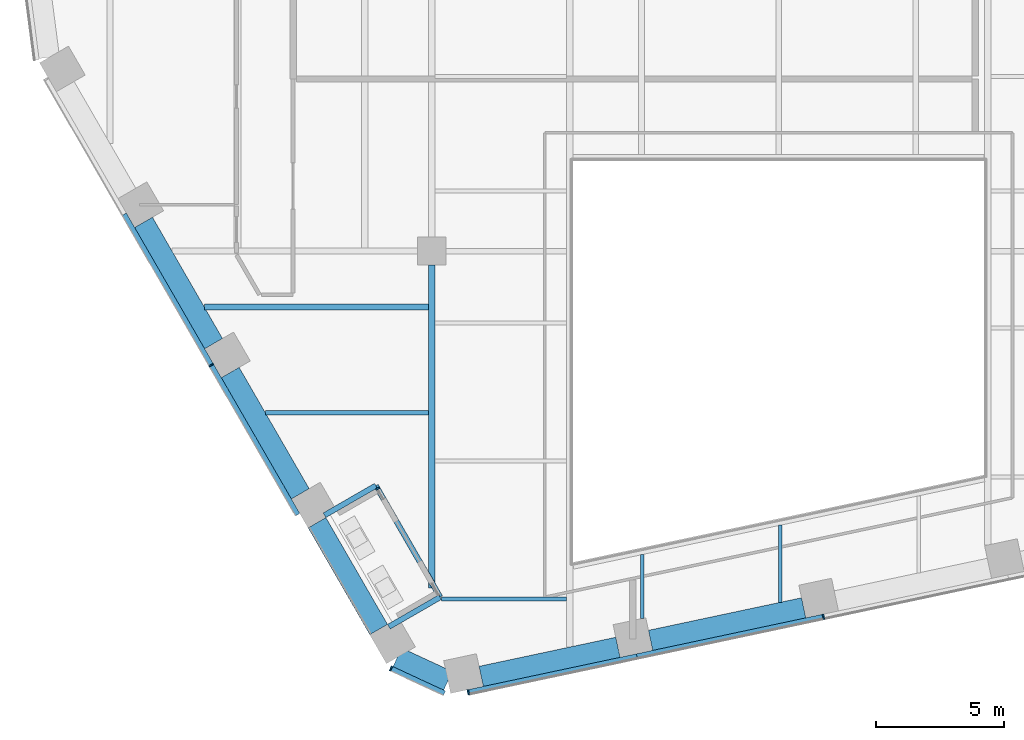
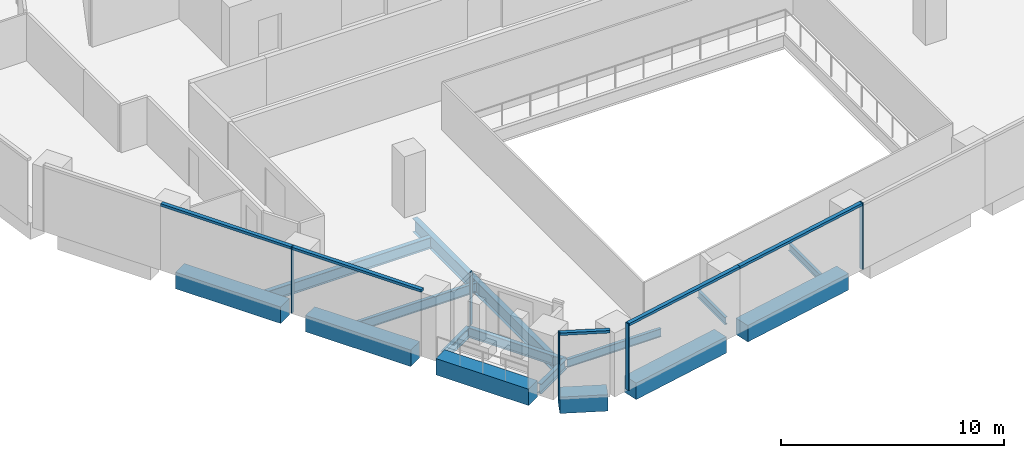
# One storey, part 2 of 26: 15 beams, 10 members, 4 elements without a shape of their own.
"""IFC4 building model written with IfcOpenShell, lengths in metres."""

from ifc_helpers import new_model, si_unit, direction, frame, origin, origin_2d, place, context, subcontext, project, spatial, rectangle, i_section, extrude, material, layer, layer_set, material_profile, profile_set, type_object, element, aggregate, save


model = new_model("IFC4")

# Units and contexts
model_context = context("Model", 3, precision=1e-05, world=origin(), true_north=direction((0.0, 1.0)))
body_context = subcontext(model_context, "Body", "Model", "MODEL_VIEW")
ifc_project = project(units=[si_unit("LENGTHUNIT", "METRE"), si_unit("AREAUNIT", "SQUARE_METRE"), si_unit("VOLUMEUNIT", "CUBIC_METRE"), si_unit("PLANEANGLEUNIT", "RADIAN"), si_unit("MASSUNIT", "GRAM", prefix="KILO")], contexts=[model_context])

# Site, building, storey
site_placement = place(None, origin())
site = spatial("IfcSite", under=ifc_project, at=site_placement, CompositionType="ELEMENT")
building_placement = place(site_placement, origin())
building = spatial("IfcBuilding", under=site, at=building_placement, Name="Isthmus Gate Tower", CompositionType="ELEMENT")
storey_placement = place(building_placement, frame((0.0, 0.0, 203.64990234375)))
storey = spatial("IfcBuildingStorey", under=building, at=storey_placement, Name="L51", CompositionType="ELEMENT", Elevation=203.64990234375)

# Curtain wall, member
ifc_material_1 = material(Name="Aluminium, pale champagne anodised", Category="aluminium")
ifc_layer_1 = layer(ifc_material_1, 0.199951171875)
ifc_layer_set_1 = layer_set([ifc_layer_1], Name="CW-1 UNITISED CURTAIN WALL 200 DEEP")
curtain_wall_type_1 = type_object("IfcCurtainWallType", Name="CW-1 UNITISED CURTAIN WALL 200 DEEP", PredefinedType="NOTDEFINED", material=ifc_layer_set_1)
curtain_wall_1_placement = place(storey_placement, origin())
curtain_wall_1 = element("IfcCurtainWall", 1, at=curtain_wall_1_placement, inside=storey, type_object=curtain_wall_type_1, Name="CW-1 SW L51", PredefinedType="NOTDEFINED")
ifc_material_2 = material(Name="Aluminium, pale champagne anodised", Category="aluminium")
ifc_material_profile_1 = material_profile(ifc_material_2, rectangle(XDim=0.06005859375, YDim=0.199951171875, at=origin_2d()), Name="60x200")
ifc_profile_set_1 = profile_set([ifc_material_profile_1], Name="Aluminium, pale champagne anodised")
member_type_1 = type_object("IfcMemberType", Name="CW-1 MULLION 60 X 200", PredefinedType="MULLION", material=ifc_profile_set_1)
member_1_placement = place(storey_placement, frame((-22.08935546875, -17.93994140625, 0.0), z_axis=(0.0, 0.0, 1.0), x_axis=(0.5, -0.866025403784, 0.0)))
member_1 = element("IfcMember", 2, at=member_1_placement, type_object=member_type_1, Name="CW-1 mullion", PredefinedType="MULLION", context=body_context, shape_type="SweptSolid", body=[
    extrude(rectangle(XDim=0.06005859375, YDim=0.199951171875, at=origin_2d()), origin(), (0.0, 0.0, 1.0), 3.650146484375),
])

curtain_wall_2_placement = place(storey_placement, origin())
curtain_wall_2 = element("IfcCurtainWall", 3, at=curtain_wall_2_placement, inside=storey, type_object=curtain_wall_type_1, Name="CW-1 SW-S L51", PredefinedType="NOTDEFINED")
member_2_placement = place(storey_placement, frame((-15.091064453125, -29.74755859375, 0.0), z_axis=(0.0, 0.0, 1.0), x_axis=(0.907256261367, -0.420578264073, 0.0)))
member_2 = element("IfcMember", 4, at=member_2_placement, type_object=member_type_1, Name="CW-1 mullion", PredefinedType="MULLION", context=body_context, shape_type="SweptSolid", body=[
    extrude(rectangle(XDim=0.06005859375, YDim=0.199951171875, at=origin_2d()), origin(), (0.0, 0.0, 1.0), 3.650146484375),
])

# Curtain wall, members
curtain_wall_3_placement = place(storey_placement, origin())
curtain_wall_3 = element("IfcCurtainWall", 5, at=curtain_wall_3_placement, inside=storey, type_object=curtain_wall_type_1, Name="CW-1 S L51", PredefinedType="NOTDEFINED")
member_3_placement = place(storey_placement, frame((-12.082763671875, -30.67041015625, 0.0), z_axis=(0.0, 0.0, 1.0), x_axis=(0.978147600734, 0.207911690818, 0.0)))
member_3 = element("IfcMember", 6, at=member_3_placement, type_object=member_type_1, Name="CW-1 mullion", PredefinedType="MULLION", context=body_context, shape_type="SweptSolid", body=[
    extrude(rectangle(XDim=0.06005859375, YDim=0.199951171875, at=origin_2d()), origin(), (0.0, 0.0, 1.0), 3.650146484375),
])
member_4_placement = place(storey_placement, frame((1.740234375, -27.732421875, 0.0), z_axis=(0.0, 0.0, 1.0), x_axis=(0.978147600734, 0.207911690818, 0.0)))
member_4 = element("IfcMember", 7, at=member_4_placement, type_object=member_type_1, Name="CW-1 mullion", PredefinedType="MULLION", context=body_context, shape_type="SweptSolid", body=[
    extrude(rectangle(XDim=0.06005859375, YDim=0.199951171875, at=origin_2d()), origin(), (0.0, 0.0, 1.0), 3.650146484375),
])

# Member
ifc_material_3 = material(Name="Aluminium, pale champagne anodised", Category="aluminium")
ifc_material_profile_2 = material_profile(ifc_material_3, rectangle(XDim=0.199951171875, YDim=0.139892578125, at=origin_2d()), Name="200x140")
ifc_profile_set_2 = profile_set([ifc_material_profile_2], Name="Aluminium, pale champagne anodised")
member_type_2 = type_object("IfcMemberType", Name="CW-1 TRANSOM 200 X 140", PredefinedType="USERDEFINED", material=ifc_profile_set_2)
member_5_placement = place(storey_placement, frame((-25.4794921875, -12.068115234375, 3.580078125), z_axis=(0.49998230858, -0.86603561769, 0.0), x_axis=(0.86603561769, 0.49998230858, 0.0)))
member_5 = element("IfcMember", 8, at=member_5_placement, type_object=member_type_2, Name="CW-1 transom", ObjectType="TRANSOM", PredefinedType="USERDEFINED", context=body_context, shape_type="SweptSolid", body=[
    extrude(rectangle(XDim=0.199951171875, YDim=0.139892578125, at=origin_2d()), origin(), (0.0, 0.0, 1.0), 6.750244140625),
])

member_6_placement = place(storey_placement, frame((-22.074462890625, -17.9658203125, 3.580078125), z_axis=(0.499981482168, -0.866036094796, 0.0), x_axis=(0.866036094796, 0.499981482168, 0.0)))
member_6 = element("IfcMember", 9, at=member_6_placement, type_object=member_type_2, Name="CW-1 transom", ObjectType="TRANSOM", PredefinedType="USERDEFINED", context=body_context, shape_type="SweptSolid", body=[
    extrude(rectangle(XDim=0.199951171875, YDim=0.139892578125, at=origin_2d()), origin(), (0.0, 0.0, 1.0), 6.690185546875),
])

aggregate(curtain_wall_1, [member_5, member_1, member_6])

member_7_placement = place(storey_placement, frame((-15.06396484375, -29.76025390625, 3.580078125), z_axis=(0.907246225564, -0.420599912268, 0.0), x_axis=(0.420599912268, 0.907246225564, 0.0)))
member_7 = element("IfcMember", 10, at=member_7_placement, type_object=member_type_2, Name="CW-1 transom", ObjectType="TRANSOM", PredefinedType="USERDEFINED", context=body_context, shape_type="SweptSolid", body=[
    extrude(rectangle(XDim=0.199951171875, YDim=0.139892578125, at=origin_2d()), origin(), (0.0, 0.0, 1.0), 2.258544921875),
])

aggregate(curtain_wall_2, [member_2, member_7])

member_8_placement = place(storey_placement, frame((-12.05322265625, -30.664306640625, 3.580078125), z_axis=(0.97814231579, 0.207936552972, 0.0), x_axis=(-0.207936552972, 0.97814231579, 0.0)))
member_8 = element("IfcMember", 11, at=member_8_placement, type_object=member_type_2, Name="CW-1 transom", ObjectType="TRANSOM", PredefinedType="USERDEFINED", context=body_context, shape_type="SweptSolid", body=[
    extrude(rectangle(XDim=0.199951171875, YDim=0.139892578125, at=origin_2d()), origin(), (0.0, 0.0, 1.0), 6.6806640625),
])

member_9_placement = place(storey_placement, frame((-5.5185546875, -29.275146484375, 3.580078125), z_axis=(0.978147683684, 0.207911300568, 0.0), x_axis=(-0.207911300568, 0.978147683684, 0.0)))
member_9 = element("IfcMember", 12, at=member_9_placement, type_object=member_type_2, Name="CW-1 transom", ObjectType="TRANSOM", PredefinedType="USERDEFINED", context=body_context, shape_type="SweptSolid", body=[
    extrude(rectangle(XDim=0.199951171875, YDim=0.139892578125, at=origin_2d()), origin(), (0.0, 0.0, 1.0), 7.390869140625),
])

aggregate(curtain_wall_3, [member_3, member_8, member_9, member_4])

# Curtain wall, member
ifc_material_4 = material(Name="Aluminium, pale champagne anodised", Category="aluminium")
ifc_layer_2 = layer(ifc_material_4, 0.14990234375)
ifc_layer_set_2 = layer_set([ifc_layer_2], Name="CW-6 LOGGIA BACK WALL GLAZING 150 DEEP")
curtain_wall_type_2 = type_object("IfcCurtainWallType", Name="CW-6 LOGGIA BACK WALL GLAZING 150 DEEP", PredefinedType="NOTDEFINED", material=ifc_layer_set_2)
curtain_wall_4_placement = place(storey_placement, origin())
curtain_wall_4 = element("IfcCurtainWall", 13, at=curtain_wall_4_placement, inside=storey, type_object=curtain_wall_type_2, Name="CW-6 SW L51", PredefinedType="NOTDEFINED")
ifc_material_5 = material(Name="Aluminium, pale champagne anodised", Category="aluminium")
ifc_material_profile_3 = material_profile(ifc_material_5, rectangle(XDim=0.06005859375, YDim=0.14990234375, at=origin_2d()), Name="60x150")
ifc_profile_set_3 = profile_set([ifc_material_profile_3], Name="Aluminium, pale champagne anodised")
member_type_3 = type_object("IfcMemberType", Name="CW-6 MULLION 60 X 150", PredefinedType="MULLION", material=ifc_profile_set_3)
member_10_placement = place(storey_placement, frame((-15.6181640625, -22.74853515625, 0.0), z_axis=(0.0, 0.0, 1.0), x_axis=(0.5, -0.866025403784, 0.0)))
member_10 = element("IfcMember", 14, at=member_10_placement, type_object=member_type_3, Name="CW-6 mullion", PredefinedType="MULLION", context=body_context, shape_type="SweptSolid", body=[
    extrude(rectangle(XDim=0.06005859375, YDim=0.14990234375, at=origin_2d()), origin(), (0.0, 0.0, 1.0), 2.900146484375),
])
aggregate(curtain_wall_4, [member_10])

# Beams
ifc_material_6 = material(Name="Concrete f'c 60 MPa", Category="concrete")
ifc_material_profile_4 = material_profile(ifc_material_6, rectangle(XDim=0.800048828125, YDim=0.89990234375, at=origin_2d()), Name="RC 800X900")
ifc_profile_set_4 = profile_set([ifc_material_profile_4], Name="Concrete f'c 60 MPa")
beam_type_1 = type_object("IfcBeamType", Name="RC SPANDREL 800 X 900", PredefinedType="SPANDREL", material=ifc_profile_set_4)
beam_1_placement = place(storey_placement, frame((0.970947265625, -27.384765625, -0.449951171875), z_axis=(-0.978146012851, -0.207919161079, 0.0), x_axis=(0.207919161079, -0.978146012851, 0.0)))
element("IfcBeam", 15, at=beam_1_placement, inside=storey, type_object=beam_type_1, Name="str-spandrel-L51-13", PredefinedType="SPANDREL", context=body_context, shape_type="SweptSolid", body=[
    extrude(rectangle(XDim=0.800048828125, YDim=0.89990234375, at=origin_2d()), origin(), (0.0, 0.0, 1.0), 6.090576171875),
])
beam_2_placement = place(storey_placement, frame((-6.25830078125, -28.92138671875, -0.449951171875), z_axis=(-0.978150410773, -0.207898470186, 0.0), x_axis=(0.207898470186, -0.978150410773, 0.0)))
element("IfcBeam", 16, at=beam_2_placement, inside=storey, type_object=beam_type_1, Name="str-spandrel-L51-14", PredefinedType="SPANDREL", context=body_context, shape_type="SweptSolid", body=[
    extrude(rectangle(XDim=0.800048828125, YDim=0.89990234375, at=origin_2d()), origin(), (0.0, 0.0, 1.0), 5.440673828125),
])
beam_3_placement = place(storey_placement, frame((-12.87255859375, -30.224853515625, -0.449951171875), z_axis=(-0.907290744498, 0.420503870314, 0.0), x_axis=(-0.420503870314, -0.907290744498, 0.0)))
element("IfcBeam", 17, at=beam_3_placement, inside=storey, type_object=beam_type_1, Name="str-spandrel-L51-15", PredefinedType="SPANDREL", context=body_context, shape_type="SweptSolid", body=[
    extrude(rectangle(XDim=0.800048828125, YDim=0.89990234375, at=origin_2d()), origin(), (0.0, 0.0, 1.0), 2.173095703125),
])
beam_4_placement = place(storey_placement, frame((-15.5712890625, -28.229736328125, -0.449951171875), z_axis=(-0.500017431331, 0.866015339567, 0.0), x_axis=(-0.866015339567, -0.500017431331, 0.0)))
element("IfcBeam", 18, at=beam_4_placement, inside=storey, type_object=beam_type_1, Name="str-spandrel-L51-16", PredefinedType="SPANDREL", context=body_context, shape_type="SweptSolid", body=[
    extrude(rectangle(XDim=0.800048828125, YDim=0.89990234375, at=origin_2d()), origin(), (0.0, 0.0, 1.0), 4.800048828125),
])
for number, where, z_axis, x_axis, name in (
    (19, (-18.621337890625, -22.94677734375, -0.449951171875), (-0.500002931134, 0.866023711487, 0.0), (-0.866023711487, -0.500002931134, 0.0), "str-spandrel-L51-17"),
    (20, (-21.996337890625, -17.10107421875, -0.449951171875), (-0.500002931134, 0.866023711487, 0.0), (-0.866023711487, -0.500002931134, 0.0), "str-spandrel-L51-18"),
):
    element("IfcBeam", number, at=place(storey_placement, frame(where, z_axis=z_axis, x_axis=x_axis)), inside=storey, type_object=beam_type_1, Name=name, PredefinedType="SPANDREL", context=body_context, shape_type="SweptSolid", body=[
        extrude(rectangle(XDim=0.800048828125, YDim=0.89990234375, at=origin_2d()), origin(), (0.0, 0.0, 1.0), 5.4501953125),
    ])
ifc_material_7 = material(Name="Structural steel ASTM A992 Gr 50", Category="steel")
ifc_material_profile_5 = material_profile(ifc_material_7, i_section(OverallWidth=0.1396484375, OverallDepth=0.4033203125, WebThickness=0.00634765625, FlangeThickness=0.010986328125, at=origin_2d()), Name="W16X31")
ifc_profile_set_5 = profile_set([ifc_material_profile_5], Name="Structural steel ASTM A992 Gr 50")
beam_type_2 = type_object("IfcBeamType", Name="STEEL FLOOR BEAM W16X31", PredefinedType="JOIST", material=ifc_profile_set_5)
beam_5_placement = place(storey_placement, frame((-5.311279296875, -27.7998046875, -0.3515625), z_axis=(0.0, 1.0, 0.0), x_axis=(-1.0, 0.0, 0.0)))
element("IfcBeam", 21, at=beam_5_placement, inside=storey, type_object=beam_type_2, Name="str-beam-L51-10-00", PredefinedType="JOIST", context=body_context, shape_type="SweptSolid", body=[
    extrude(i_section(OverallWidth=0.1396484375, OverallDepth=0.4033203125, WebThickness=0.00634765625, FlangeThickness=0.010986328125, at=origin_2d()), origin(), (0.0, 0.0, 1.0), 2.487548828125),
])
beam_6_placement = place(storey_placement, frame((0.06591796875, -27.168212890625, -0.3515625), z_axis=(0.0, 1.0, 0.0), x_axis=(-1.0, 0.0, 0.0)))
element("IfcBeam", 22, at=beam_6_placement, inside=storey, type_object=beam_type_2, Name="str-beam-L51-10-01", PredefinedType="JOIST", context=body_context, shape_type="SweptSolid", body=[
    extrude(i_section(OverallWidth=0.1396484375, OverallDepth=0.4033203125, WebThickness=0.00634765625, FlangeThickness=0.010986328125, at=origin_2d()), origin(), (0.0, 0.0, 1.0), 2.9990234375),
])
ifc_material_8 = material(Name="Structural steel ASTM A992 Gr 50", Category="steel")
ifc_material_profile_6 = material_profile(ifc_material_8, i_section(OverallWidth=0.15234375, OverallDepth=0.45068359375, WebThickness=0.0078125, FlangeThickness=0.010986328125, at=origin_2d()), Name="W18X35")
ifc_profile_set_6 = profile_set([ifc_material_profile_6], Name="Structural steel ASTM A992 Gr 50")
beam_type_3 = type_object("IfcBeamType", Name="STEEL FLOOR BEAM W18X35", PredefinedType="JOIST", material=ifc_profile_set_6)
beam_7_placement = place(storey_placement, frame((-13.130859375, -27.04736328125, -0.375244140625), z_axis=(1.0, 0.0, 0.0), x_axis=(0.0, 1.0, 0.0)))
element("IfcBeam", 23, at=beam_7_placement, inside=storey, type_object=beam_type_3, Name="str-beam-L51-06-00", PredefinedType="JOIST", context=body_context, shape_type="SweptSolid", body=[
    extrude(i_section(OverallWidth=0.15234375, OverallDepth=0.45068359375, WebThickness=0.0078125, FlangeThickness=0.010986328125, at=origin_2d()), origin(), (0.0, 0.0, 1.0), 4.8642578125),
])
ifc_material_9 = material(Name="Structural steel ASTM A992 Gr 50", Category="steel")
ifc_material_profile_7 = material_profile(ifc_material_9, i_section(OverallWidth=0.1650390625, OverallDepth=0.52392578125, WebThickness=0.009521484375, FlangeThickness=0.010986328125, at=origin_2d()), Name="W21X44")
ifc_profile_set_7 = profile_set([ifc_material_profile_7], Name="Structural steel ASTM A992 Gr 50")
beam_type_4 = type_object("IfcBeamType", Name="STEEL FLOOR BEAM W21X44", PredefinedType="JOIST", material=ifc_profile_set_7)
beam_8_placement = place(storey_placement, frame((-19.980712890625, -19.792236328125, -0.411865234375), z_axis=(1.0, 0.0, 0.0), x_axis=(0.0, 1.0, 0.0)))
element("IfcBeam", 24, at=beam_8_placement, inside=storey, type_object=beam_type_4, Name="str-beam-L51-03-00", PredefinedType="JOIST", context=body_context, shape_type="SweptSolid", body=[
    extrude(i_section(OverallWidth=0.1650390625, OverallDepth=0.52392578125, WebThickness=0.009521484375, FlangeThickness=0.010986328125, at=origin_2d()), origin(), (0.0, 0.0, 1.0), 6.348876953125),
])
ifc_material_10 = material(Name="Structural steel ASTM A992 Gr 50", Category="steel")
ifc_material_profile_8 = material_profile(ifc_material_10, i_section(OverallWidth=0.228515625, OverallDepth=0.603271484375, WebThickness=0.010986328125, FlangeThickness=0.014404296875, at=origin_2d()), Name="W24X68")
ifc_profile_set_8 = profile_set([ifc_material_profile_8], Name="Structural steel ASTM A992 Gr 50")
beam_type_5 = type_object("IfcBeamType", Name="STEEL FLOOR BEAM W24X68", PredefinedType="JOIST", material=ifc_profile_set_8)
beam_9_placement = place(storey_placement, frame((-22.358642578125, -15.673583984375, -0.451416015625), z_axis=(1.0, 0.0, 0.0), x_axis=(0.0, 1.0, 0.0)))
element("IfcBeam", 25, at=beam_9_placement, inside=storey, type_object=beam_type_5, Name="str-beam-L51-03-01", PredefinedType="JOIST", context=body_context, shape_type="SweptSolid", body=[
    extrude(i_section(OverallWidth=0.228515625, OverallDepth=0.603271484375, WebThickness=0.010986328125, FlangeThickness=0.014404296875, at=origin_2d()), origin(), (0.0, 0.0, 1.0), 8.726806640625),
])
ifc_material_11 = material(Name="Structural steel ASTM A992 Gr 50", Category="steel")
ifc_material_profile_9 = material_profile(ifc_material_11, i_section(OverallWidth=0.263427734375, OverallDepth=0.749267578125, WebThickness=0.0126953125, FlangeThickness=0.015869140625, at=origin_2d()), Name="W30X90")
ifc_profile_set_9 = profile_set([ifc_material_profile_9], Name="Structural steel ASTM A992 Gr 50")
beam_type_6 = type_object("IfcBeamType", Name="STEEL GIRDER W30X90", PredefinedType="BEAM", material=ifc_profile_set_9)
beam_10_placement = place(storey_placement, frame((-13.5, -26.617431640625, -0.524658203125), z_axis=(0.0, 1.0, 0.0), x_axis=(-1.0, 0.0, 0.0)))
element("IfcBeam", 26, at=beam_10_placement, inside=storey, type_object=beam_type_6, Name="str-girder-L51-07", PredefinedType="BEAM", context=body_context, shape_type="SweptSolid", body=[
    extrude(i_section(OverallWidth=0.263427734375, OverallDepth=0.749267578125, WebThickness=0.0126953125, FlangeThickness=0.015869140625, at=origin_2d()), origin(), (0.0, 0.0, 1.0), 12.5673828125),
])
ifc_material_12 = material(Name="Structural steel ASTM A992 Gr 50", Category="steel")
ifc_material_profile_10 = material_profile(ifc_material_12, i_section(OverallWidth=0.20947265625, OverallDepth=0.533447265625, WebThickness=0.009521484375, FlangeThickness=0.015869140625, at=origin_2d()), Name="W21X62")
ifc_profile_set_10 = profile_set([ifc_material_profile_10], Name="Structural steel ASTM A992 Gr 50")
beam_type_7 = type_object("IfcBeamType", Name="STEEL TRIMMER W21X62", PredefinedType="BEAM", material=ifc_profile_set_10)
beam_11_placement = place(storey_placement, frame((-15.681396484375, -22.629638671875, -0.41650390625), z_axis=(0.500017753321, -0.866015153657, 0.0), x_axis=(0.866015153657, 0.500017753321, 0.0)))
element("IfcBeam", 27, at=beam_11_placement, inside=storey, type_object=beam_type_7, Name="str-loggiatrim-L51-03-B", PredefinedType="BEAM", context=body_context, shape_type="SweptSolid", body=[
    extrude(i_section(OverallWidth=0.20947265625, OverallDepth=0.533447265625, WebThickness=0.009521484375, FlangeThickness=0.015869140625, at=origin_2d()), origin(), (0.0, 0.0, 1.0), 5.009521484375),
])
beam_12_placement = place(storey_placement, frame((-17.67724609375, -23.781982421875, -0.41650390625), z_axis=(0.866017993231, 0.500012835235, 0.0), x_axis=(-0.500012835235, 0.866017993231, 0.0)))
element("IfcBeam", 28, at=beam_12_placement, inside=storey, type_object=beam_type_7, Name="str-loggiatrim-L51-03-A", PredefinedType="BEAM", context=body_context, shape_type="SweptSolid", body=[
    extrude(i_section(OverallWidth=0.20947265625, OverallDepth=0.533447265625, WebThickness=0.009521484375, FlangeThickness=0.015869140625, at=origin_2d()), origin(), (0.0, 0.0, 1.0), 2.3046875),
])
beam_13_placement = place(storey_placement, frame((-15.172607421875, -28.120361328125, -0.41650390625), z_axis=(0.866044474677, 0.49996696679, 0.0), x_axis=(-0.49996696679, 0.866044474677, 0.0)))
element("IfcBeam", 29, at=beam_13_placement, inside=storey, type_object=beam_type_7, Name="str-loggiatrim-L51-03-C", PredefinedType="BEAM", context=body_context, shape_type="SweptSolid", body=[
    extrude(i_section(OverallWidth=0.20947265625, OverallDepth=0.533447265625, WebThickness=0.009521484375, FlangeThickness=0.015869140625, at=origin_2d()), origin(), (0.0, 0.0, 1.0), 2.304931640625),
])

save(model, "model.ifc")
